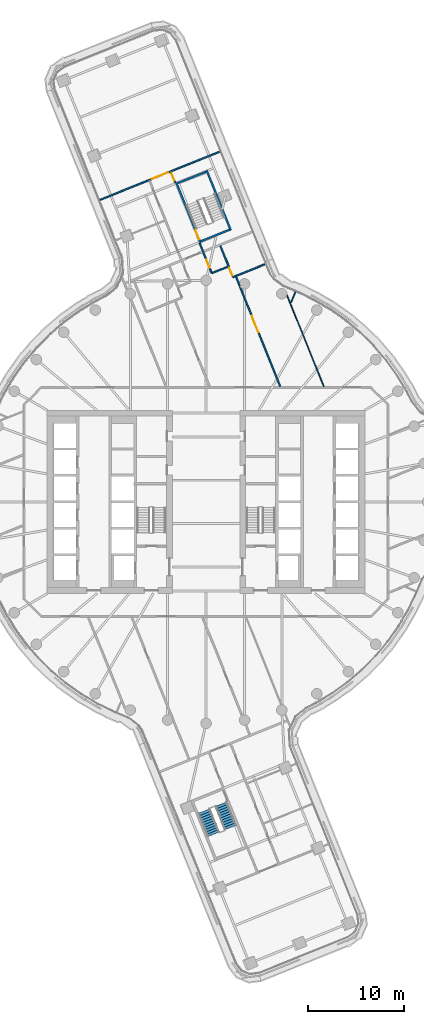
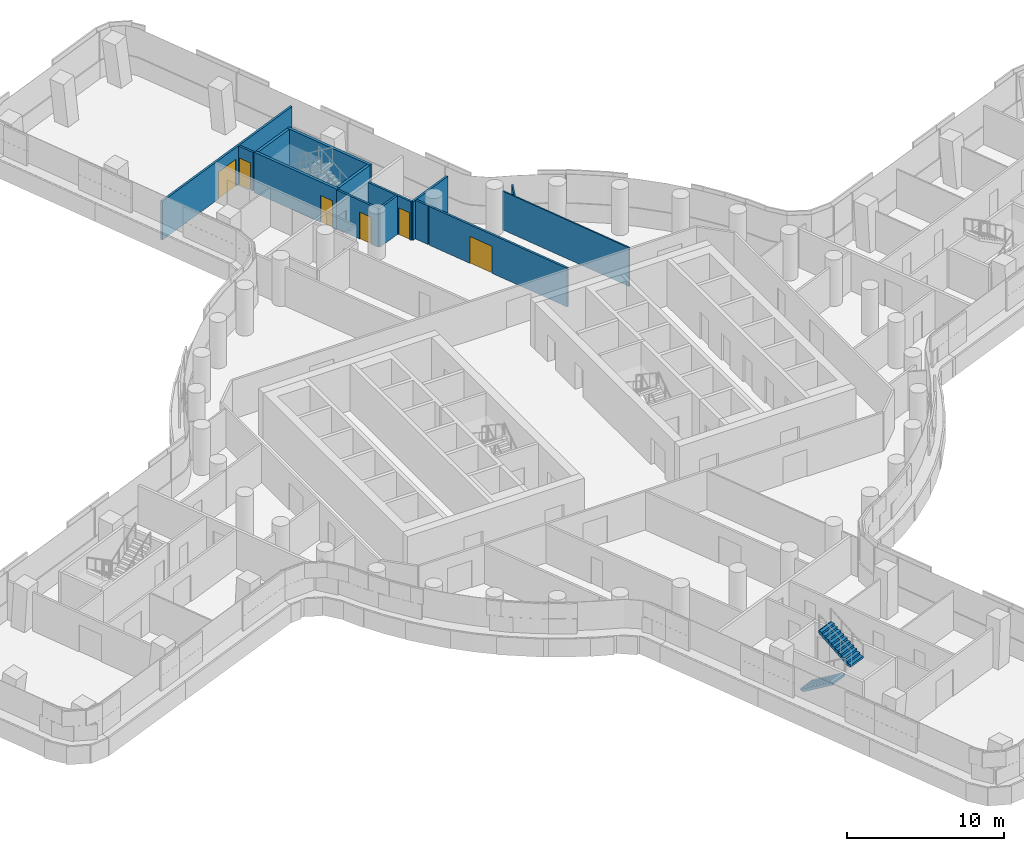
# One storey, part 24 of 32: 14 walls, 6 doors, 2 stair flights, 6 openings, 1 element without a shape of its own.
"""IFC4 building model written with IfcOpenShell, lengths in metres."""

from ifc_helpers import new_model, si_unit, direction, frame, frame_2d, origin, place, context, subcontext, project, spatial, polyline, rectangle, outline, extrude, material, layer, layer_set, type_object, element, fill, aggregate, save


model = new_model("IFC4")

# Units and contexts
model_context = context("Model", 3, precision=1e-05, world=origin(), true_north=direction((0.0, 1.0)))
body_context = subcontext(model_context, "Body", "Model", "MODEL_VIEW")
ifc_project = project(units=[si_unit("LENGTHUNIT", "METRE"), si_unit("AREAUNIT", "SQUARE_METRE"), si_unit("VOLUMEUNIT", "CUBIC_METRE"), si_unit("PLANEANGLEUNIT", "RADIAN"), si_unit("MASSUNIT", "GRAM", prefix="KILO")], contexts=[model_context])

# Site, building, storey
site_placement = place(None, origin())
site = spatial("IfcSite", under=ifc_project, at=site_placement, CompositionType="ELEMENT")
building_placement = place(site_placement, origin())
building = spatial("IfcBuilding", under=site, at=building_placement, Name="Tamarind Cross Interchange Tower", CompositionType="ELEMENT")
storey_placement = place(building_placement, frame((0.0, 0.0, 113.5)))
storey = spatial("IfcBuildingStorey", under=building, at=storey_placement, Name="L27", CompositionType="ELEMENT", Elevation=113.5)

# Walls
ifc_material_1 = material(Name="Gypsum board partition on steel studs", Category="steel")
ifc_layer_1 = layer(ifc_material_1, 0.10009765625)
ifc_layer_set_1 = layer_set([ifc_layer_1], Name="Gypsum board partition on steel studs")
wall_type_1 = type_object("IfcWallType", Name="Partition 100 mm EI 90", PredefinedType="PARTITIONING", material=ifc_layer_set_1)
wall_1_placement = place(storey_placement, frame((8.3955078125, 21.497802734375, 0.0), z_axis=(0.0, 0.0, 1.0), x_axis=(0.373673072067, -0.927560475232, 0.0)))
element("IfcWall", 1, at=wall_1_placement, inside=storey, type_object=wall_type_1, Name="Partition L27-027", PredefinedType="PARTITIONING", context=body_context, shape_type="SweptSolid", body=[
    extrude(rectangle(XDim=10.267333984375, YDim=0.10009765625, at=frame_2d((5.1337890625, 0.0))), origin(), (0.0, 0.0, 1.0), 3.010009765625),
])
wall_2_placement = place(storey_placement, frame((8.80224609375, 20.677978515625, 0.0), z_axis=(0.0, 0.0, 1.0), x_axis=(0.392106771025, 0.919919713951, 0.0)))
element("IfcWall", 2, at=wall_2_placement, inside=storey, type_object=wall_type_1, Name="Partition L27-081", PredefinedType="PARTITIONING", context=body_context, shape_type="SweptSolid", body=[
    extrude(rectangle(XDim=1.2197265625, YDim=0.10009765625, at=frame_2d((0.60986328125, 0.0))), origin(), (0.0, 0.0, 1.0), 3.010009765625),
])

# Wall, opening, door
ifc_layer_2 = layer(ifc_material_1, 0.14990234375)
ifc_layer_set_2 = layer_set([ifc_layer_2], Name="Gypsum board partition on steel studs")
wall_type_2 = type_object("IfcWallType", Name="Partition 150 mm EI 120", PredefinedType="PARTITIONING", material=ifc_layer_set_2)
wall_3_placement = place(storey_placement, frame((-3.64208984375, 34.25146484375, 0.0), z_axis=(0.0, 0.0, 1.0), x_axis=(0.37373394361, -0.927535950459, 0.0)))
wall_3 = element("IfcWall", 3, at=wall_3_placement, inside=storey, type_object=wall_type_2, Name="Partition L27-014", PredefinedType="PARTITIONING", context=body_context, shape_type="SweptSolid", body=[
    extrude(rectangle(XDim=1.18505859375, YDim=0.14990234375, at=frame_2d((0.592529296875, 0.0))), origin(), (0.0, 0.0, 1.0), 3.010009765625),
])
opening_1_placement = place(wall_3_placement, frame((0.074951171875, 0.0, 0.0)))
opening_1 = element("IfcOpeningElement", 4, at=opening_1_placement, cuts=wall_3, Name="Opening D08", PredefinedType="OPENING", context=body_context, shape_type="SweptSolid", body=[
    extrude(rectangle(XDim=0.89990234375, YDim=2.10009765625, at=frame_2d((0.449951171875, 1.050048828125))), frame((0.0, 0.0849609375, 0.0), z_axis=(0.0, -1.0, 0.0), x_axis=(1.0, 0.0, 0.0)), (0.0, 0.0, 1.0), 0.169921875),
])
ifc_material_2 = material(Name="Fire-resisting door set")
door_type_1 = type_object("IfcDoorType", Name="Interior door 900 x 2100 FD60S", OperationType="SINGLE_SWING_LEFT", PredefinedType="DOOR", material=ifc_material_2)
door_1_placement = place(opening_1_placement, origin())
door_1 = element("IfcDoor", 5, at=door_1_placement, inside=storey, type_object=door_type_1, Name="Door D08", OperationType="SINGLE_SWING_RIGHT", OverallHeight=2.10009765625, OverallWidth=0.89990234375, PredefinedType="DOOR", context=body_context, shape_type="SweptSolid", body=[
    extrude(rectangle(XDim=0.89990234375, YDim=2.10009765625, at=frame_2d((0.449951171875, 1.050048828125))), frame((0.0, 0.02490234375, 0.0), z_axis=(0.0, -1.0, 0.0), x_axis=(1.0, 0.0, 0.0)), (0.0, 0.0, 1.0), 0.050048828125),
])
fill(opening_1, door_1)

wall_4_placement = place(storey_placement, frame((-0.665771484375, 26.86376953125, 0.0), z_axis=(0.0, 0.0, 1.0), x_axis=(0.373632679027, -0.927576746778, 0.0)))
wall_4 = element("IfcWall", 6, at=wall_4_placement, inside=storey, type_object=wall_type_2, Name="Partition L27-015", PredefinedType="PARTITIONING", context=body_context, shape_type="SweptSolid", body=[
    extrude(rectangle(XDim=3.34033203125, YDim=0.14990234375, at=frame_2d((1.670166015625, 0.0))), origin(), (0.0, 0.0, 1.0), 3.010009765625),
])
opening_2_placement = place(wall_4_placement, frame((1.8603515625, 0.0, 0.0)))
opening_2 = element("IfcOpeningElement", 7, at=opening_2_placement, cuts=wall_4, Name="Opening D09", PredefinedType="OPENING", context=body_context, shape_type="SweptSolid", body=[
    extrude(rectangle(XDim=0.89990234375, YDim=2.10009765625, at=frame_2d((0.449951171875, 1.050048828125))), frame((0.0, 0.0849609375, 0.0), z_axis=(0.0, -1.0, 0.0), x_axis=(1.0, 0.0, 0.0)), (0.0, 0.0, 1.0), 0.169921875),
])
door_2_placement = place(opening_2_placement, origin())
door_2 = element("IfcDoor", 8, at=door_2_placement, inside=storey, type_object=door_type_1, Name="Door D09", OperationType="SINGLE_SWING_LEFT", OverallHeight=2.10009765625, OverallWidth=0.89990234375, PredefinedType="DOOR", context=body_context, shape_type="SweptSolid", body=[
    extrude(rectangle(XDim=0.89990234375, YDim=2.10009765625, at=frame_2d((0.449951171875, 1.050048828125))), frame((0.0, 0.02490234375, 0.0), z_axis=(0.0, -1.0, 0.0), x_axis=(1.0, 0.0, 0.0)), (0.0, 0.0, 1.0), 0.050048828125),
])
fill(opening_2, door_2)

wall_5_placement = place(storey_placement, frame((1.491455078125, 26.594970703125, 0.0), z_axis=(0.0, 0.0, 1.0), x_axis=(0.373419109665, -0.927662745041, 0.0)))
wall_5 = element("IfcWall", 9, at=wall_5_placement, inside=storey, type_object=wall_type_2, Name="Partition L27-021", PredefinedType="PARTITIONING", context=body_context, shape_type="SweptSolid", body=[
    extrude(rectangle(XDim=3.48486328125, YDim=0.14990234375, at=frame_2d((1.742431640625, 0.0))), origin(), (0.0, 0.0, 1.0), 3.010009765625),
])
opening_3_placement = place(wall_5_placement, frame((2.45458984375, 0.0, 0.0)))
opening_3 = element("IfcOpeningElement", 10, at=opening_3_placement, cuts=wall_5, Name="Opening D13", PredefinedType="OPENING", context=body_context, shape_type="SweptSolid", body=[
    extrude(rectangle(XDim=0.89990234375, YDim=2.10009765625, at=frame_2d((0.449951171875, 1.050048828125))), frame((0.0, 0.0849609375, 0.0), z_axis=(0.0, -1.0, 0.0), x_axis=(1.0, 0.0, 0.0)), (0.0, 0.0, 1.0), 0.169921875),
])
door_3_placement = place(opening_3_placement, origin())
door_3 = element("IfcDoor", 11, at=door_3_placement, inside=storey, type_object=door_type_1, Name="Door D13", OperationType="SINGLE_SWING_LEFT", OverallHeight=2.10009765625, OverallWidth=0.89990234375, PredefinedType="DOOR", context=body_context, shape_type="SweptSolid", body=[
    extrude(rectangle(XDim=0.89990234375, YDim=2.10009765625, at=frame_2d((0.449951171875, 1.050048828125))), frame((0.0, 0.02490234375, 0.0), z_axis=(0.0, -1.0, 0.0), x_axis=(1.0, 0.0, 0.0)), (0.0, 0.0, 1.0), 0.050048828125),
])
fill(opening_3, door_3)

# Wall
wall_6_placement = place(storey_placement, frame((3.10888671875, 23.3818359375, 0.0), z_axis=(0.0, 0.0, 1.0), x_axis=(0.373633465101, -0.927576430143, 0.0)))
element("IfcWall", 12, at=wall_6_placement, inside=storey, type_object=wall_type_2, Name="Partition L27-023", PredefinedType="PARTITIONING", context=body_context, shape_type="SweptSolid", body=[
    extrude(rectangle(XDim=1.03173828125, YDim=0.14990234375, at=frame_2d((0.515869140625, 0.0))), origin(), (0.0, 0.0, 1.0), 3.010009765625),
])

# Wall, opening, door
wall_7_placement = place(storey_placement, frame((3.521240234375, 22.3583984375, 0.0), z_axis=(0.0, 0.0, 1.0), x_axis=(0.373640057319, -0.92757377473, 0.0)))
wall_7 = element("IfcWall", 13, at=wall_7_placement, inside=storey, type_object=wall_type_2, Name="Partition L27-024", PredefinedType="PARTITIONING", context=body_context, shape_type="SweptSolid", body=[
    extrude(rectangle(XDim=11.18505859375, YDim=0.14990234375, at=frame_2d((5.592529296875, 0.0))), origin(), (0.0, 0.0, 1.0), 3.010009765625),
])
opening_4_placement = place(wall_7_placement, frame((3.300048828125, 0.0, 0.0)))
opening_4 = element("IfcOpeningElement", 14, at=opening_4_placement, cuts=wall_7, Name="Opening D17", PredefinedType="OPENING", context=body_context, shape_type="SweptSolid", body=[
    extrude(rectangle(XDim=1.800048828125, YDim=2.10009765625, at=frame_2d((0.89990234375, 1.050048828125))), frame((0.0, 0.0849609375, 0.0), z_axis=(0.0, -1.0, 0.0), x_axis=(1.0, 0.0, 0.0)), (0.0, 0.0, 1.0), 0.169921875),
])
door_type_2 = type_object("IfcDoorType", Name="Interior door 1800 x 2100 FD60S", OperationType="DOUBLE_DOOR_SINGLE_SWING", PredefinedType="DOOR", material=ifc_material_2)
door_4_placement = place(opening_4_placement, origin())
door_4 = element("IfcDoor", 15, at=door_4_placement, inside=storey, type_object=door_type_2, Name="Door D17", OperationType="DOUBLE_DOOR_SINGLE_SWING", OverallHeight=2.10009765625, OverallWidth=1.800048828125, PredefinedType="DOOR", context=body_context, shape_type="SweptSolid", body=[
    extrude(rectangle(XDim=1.800048828125, YDim=2.10009765625, at=frame_2d((0.89990234375, 1.050048828125))), frame((0.0, 0.02490234375, 0.0), z_axis=(0.0, -1.0, 0.0), x_axis=(1.0, 0.0, 0.0)), (0.0, 0.0, 1.0), 0.050048828125),
])
fill(opening_4, door_4)

wall_8_placement = place(storey_placement, frame((-11.015380859375, 31.3623046875, 0.0), z_axis=(0.0, 0.0, 1.0), x_axis=(0.927536404371, 0.373732817085, 0.0)))
wall_8 = element("IfcWall", 16, at=wall_8_placement, inside=storey, type_object=wall_type_2, Name="Partition L27-053", PredefinedType="PARTITIONING", context=body_context, shape_type="SweptSolid", body=[
    extrude(rectangle(XDim=13.41845703125, YDim=0.14990234375, at=frame_2d((6.709228515625, 0.0))), origin(), (0.0, 0.0, 1.0), 3.010009765625),
])
opening_5_placement = place(wall_8_placement, frame((5.8193359375, 0.0, 0.0)))
opening_5 = element("IfcOpeningElement", 17, at=opening_5_placement, cuts=wall_8, Name="Opening D30", PredefinedType="OPENING", context=body_context, shape_type="SweptSolid", body=[
    extrude(rectangle(XDim=1.800048828125, YDim=2.10009765625, at=frame_2d((0.89990234375, 1.050048828125))), frame((0.0, 0.0849609375, 0.0), z_axis=(0.0, -1.0, 0.0), x_axis=(1.0, 0.0, 0.0)), (0.0, 0.0, 1.0), 0.169921875),
])
door_5_placement = place(opening_5_placement, origin())
door_5 = element("IfcDoor", 18, at=door_5_placement, inside=storey, type_object=door_type_2, Name="Door D30", OperationType="DOUBLE_DOOR_SINGLE_SWING", OverallHeight=2.10009765625, OverallWidth=1.800048828125, PredefinedType="DOOR", context=body_context, shape_type="SweptSolid", body=[
    extrude(rectangle(XDim=1.800048828125, YDim=2.10009765625, at=frame_2d((0.89990234375, 1.050048828125))), frame((0.0, 0.02490234375, 0.0), z_axis=(0.0, -1.0, 0.0), x_axis=(1.0, 0.0, 0.0)), (0.0, 0.0, 1.0), 0.050048828125),
])
fill(opening_5, door_5)

# Walls
wall_9_placement = place(storey_placement, frame((2.801025390625, 23.34375, 0.0), z_axis=(0.0, 0.0, 1.0), x_axis=(0.927561707099, 0.373670014216, 0.0)))
element("IfcWall", 19, at=wall_9_placement, inside=storey, type_object=wall_type_2, Name="Partition L27-058", PredefinedType="PARTITIONING", context=body_context, shape_type="SweptSolid", body=[
    extrude(rectangle(XDim=3.599365234375, YDim=0.14990234375, at=frame_2d((1.7998046875, 0.0))), origin(), (0.0, 0.0, 1.0), 3.010009765625),
])
wall_10_placement = place(storey_placement, frame((0.59033203125, 23.746337890625, 0.0), z_axis=(0.0, 0.0, 1.0), x_axis=(0.92765314986, 0.373442945515, 0.0)))
element("IfcWall", 20, at=wall_10_placement, inside=storey, type_object=wall_type_2, Name="Partition L27-061", PredefinedType="PARTITIONING", context=body_context, shape_type="SweptSolid", body=[
    extrude(rectangle(XDim=1.82470703125, YDim=0.14990234375, at=frame_2d((0.912353515625, 0.0))), origin(), (0.0, 0.0, 1.0), 3.010009765625),
])

# Wall, opening, door
ifc_material_3 = material(Name="Concrete C40", Category="concrete")
ifc_layer_3 = layer(ifc_material_3, 0.199951171875)
ifc_layer_set_3 = layer_set([ifc_layer_3], Name="Concrete C40")
wall_type_3 = type_object("IfcWallType", Name="Stair shaft wall 200 mm Concrete C40", PredefinedType="SHEAR", material=ifc_layer_set_3)
wall_11_placement = place(storey_placement, frame((-0.587646484375, 26.93798828125, -0.139892578125), z_axis=(0.0, 0.0, 1.0), x_axis=(-0.373638711668, 0.927574316776, 0.0)))
wall_11 = element("IfcWall", 21, at=wall_11_placement, inside=storey, type_object=wall_type_3, Name="Core wall CWL-L27-ST4-H", PredefinedType="SHEAR", context=body_context, shape_type="SweptSolid", body=[
    extrude(rectangle(XDim=6.7001953125, YDim=0.199951171875, at=frame_2d((3.35009765625, 0.0))), origin(), (0.0, 0.0, 1.0), 3.14990234375),
])
opening_6_placement = place(wall_11_placement, frame((0.35009765625, 0.0, 0.0)))
opening_6 = element("IfcOpeningElement", 22, at=opening_6_placement, cuts=wall_11, Name="Opening ST4L27", PredefinedType="OPENING", context=body_context, shape_type="SweptSolid", body=[
    extrude(rectangle(XDim=1.0, YDim=2.10009765625, at=frame_2d((0.5, 1.050048828125))), frame((0.0, 0.10986328125, 0.0), z_axis=(0.0, -1.0, 0.0), x_axis=(1.0, 0.0, 0.0)), (0.0, 0.0, 1.0), 0.219970703125),
])
ifc_material_4 = material(Name="Steel, fire-resisting", Category="steel")
door_type_3 = type_object("IfcDoorType", Name="Core fire door 1000 x 2100 FD90", OperationType="SINGLE_SWING_LEFT", PredefinedType="DOOR", material=ifc_material_4)
door_6_placement = place(opening_6_placement, origin())
door_6 = element("IfcDoor", 23, at=door_6_placement, inside=storey, type_object=door_type_3, Name="L27 stair door ST4", OperationType="SINGLE_SWING_LEFT", OverallHeight=2.10009765625, OverallWidth=1.0, PredefinedType="DOOR", context=body_context, shape_type="SweptSolid", body=[
    extrude(rectangle(XDim=1.0, YDim=2.10009765625, at=frame_2d((0.5, 1.050048828125))), frame((0.0, 0.02490234375, 0.0), z_axis=(0.0, -1.0, 0.0), x_axis=(1.0, 0.0, 0.0)), (0.0, 0.0, 1.0), 0.050048828125),
])
fill(opening_6, door_6)

# Walls
wall_12_placement = place(storey_placement, frame((2.566162109375, 28.20849609375, -0.139892578125), z_axis=(0.0, 0.0, 1.0), x_axis=(-0.373682692181, 0.927556599655, 0.0)))
element("IfcWall", 24, at=wall_12_placement, inside=storey, type_object=wall_type_3, Name="Core wall CWL-L27-ST4-C", PredefinedType="SHEAR", context=body_context, shape_type="SweptSolid", body=[
    extrude(rectangle(XDim=6.699951171875, YDim=0.199951171875, at=frame_2d((3.35009765625, 0.0))), origin(), (0.0, 0.0, 1.0), 3.14990234375),
])
wall_13_placement = place(storey_placement, frame((2.435791015625, 28.263916015625, -0.139892578125), z_axis=(0.0, 0.0, 1.0), x_axis=(-0.927547711473, -0.373704753705, 0.0)))
element("IfcWall", 25, at=wall_13_placement, inside=storey, type_object=wall_type_3, Name="Core wall CWL-L27-ST4-CE", PredefinedType="SHEAR", context=body_context, shape_type="SweptSolid", body=[
    extrude(rectangle(XDim=3.199951171875, YDim=0.199951171875, at=frame_2d((1.60009765625, 0.0))), origin(), (0.0, 0.0, 1.0), 3.14990234375),
])
wall_14_placement = place(storey_placement, frame((0.0, 0.0, -0.139892578125)))
element("IfcWall", 26, at=wall_14_placement, inside=storey, type_object=wall_type_3, Name="Core wall CWL-L27-ST4-CF", PredefinedType="SHEAR", context=body_context, shape_type="SweptSolid", body=[
    extrude(outline(polyline([(0.044677734375, 34.2001953125), (-0.030029296875, 34.3857421875), (-2.998291015625, 33.190185546875), (-2.923583984375, 33.004638671875), (0.044677734375, 34.2001953125)])), origin(), (0.0, 0.0, 1.0), 3.14990234375),
])

# Stair, stair flights
ifc_material_5 = material(Name="Exit stair")
stair_type = type_object("IfcStairType", Name="Exit stair", PredefinedType="HALF_TURN_STAIR", material=ifc_material_5)
stair_placement = place(storey_placement, origin())
stair = element("IfcStair", 27, at=stair_placement, inside=storey, type_object=stair_type, Name="L27 exit stair ST6", PredefinedType="HALF_TURN_STAIR")
ifc_material_6 = material(Name="Exit stair flight")
stair_flight_type = type_object("IfcStairFlightType", Name="Exit stair flight", PredefinedType="STRAIGHT", material=ifc_material_6)
stair_flight_1_placement = place(storey_placement, frame((-0.18896484375, -32.102294921875, 0.0), z_axis=(0.0, 0.0, 1.0), x_axis=(0.373648394893, -0.927570416192, 0.0)))
stair_flight_1 = element("IfcStairFlight", 28, at=stair_flight_1_placement, type_object=stair_flight_type, Name="ST6 flight 1", NumberOfRisers=11, NumberOfTreads=10, PredefinedType="STRAIGHT", RiserHeight=0.170454545, TreadLength=0.26, context=body_context, shape_type="SweptSolid", body=[
    extrude(outline(polyline([(0.0, 0.0), (0.0, 0.17041015625), (0.260009765625, 0.17041015625), (0.260009765625, 0.3408203125), (0.52001953125, 0.3408203125), (0.52001953125, 0.511474609375), (0.780029296875, 0.511474609375), (0.780029296875, 0.681884765625), (1.0400390625, 0.681884765625), (1.0400390625, 0.852294921875), (1.300048828125, 0.852294921875), (1.300048828125, 1.022705078125), (1.56005859375, 1.022705078125), (1.56005859375, 1.193115234375), (1.820068359375, 1.193115234375), (1.820068359375, 1.363525390625), (2.080078125, 1.363525390625), (2.080078125, 1.5341796875), (2.340087890625, 1.5341796875), (2.340087890625, 1.70458984375), (2.60009765625, 1.70458984375), (2.60009765625, 1.875), (2.60009765625, 1.525390625), (0.2734375, 0.0), (0.0, 0.0)])), frame((0.0, 0.64990234375, 0.0), z_axis=(0.0, -1.0, 0.0), x_axis=(1.0, 0.0, 0.0)), (0.0, 0.0, 1.0), 1.300048828125),
])
stair_flight_2_placement = place(storey_placement, frame((2.544921875, -33.803955078125, 1.875), z_axis=(0.0, 0.0, 1.0), x_axis=(-0.373648394893, 0.927570416192, 0.0)))
stair_flight_2 = element("IfcStairFlight", 29, at=stair_flight_2_placement, type_object=stair_flight_type, Name="ST6 flight 2", NumberOfRisers=11, NumberOfTreads=10, PredefinedType="STRAIGHT", RiserHeight=0.170454545, TreadLength=0.26, context=body_context, shape_type="SweptSolid", body=[
    extrude(outline(polyline([(0.0, 0.0), (0.0, 0.17041015625), (0.260009765625, 0.17041015625), (0.260009765625, 0.3408203125), (0.52001953125, 0.3408203125), (0.52001953125, 0.511474609375), (0.780029296875, 0.511474609375), (0.780029296875, 0.681884765625), (1.0400390625, 0.681884765625), (1.0400390625, 0.852294921875), (1.300048828125, 0.852294921875), (1.300048828125, 1.022705078125), (1.56005859375, 1.022705078125), (1.56005859375, 1.193115234375), (1.820068359375, 1.193115234375), (1.820068359375, 1.363525390625), (2.080078125, 1.363525390625), (2.080078125, 1.5341796875), (2.340087890625, 1.5341796875), (2.340087890625, 1.70458984375), (2.60009765625, 1.70458984375), (2.60009765625, 1.7548828125), (2.612060546875, 1.7548828125), (2.612060546875, 1.533203125), (0.2734375, 0.0), (0.0, 0.0)])), frame((0.0, 0.64990234375, 0.0), z_axis=(0.0, -1.0, 0.0), x_axis=(1.0, 0.0, 0.0)), (0.0, 0.0, 1.0), 1.300048828125),
])
aggregate(stair, [stair_flight_1, stair_flight_2])

save(model, "model.ifc")
